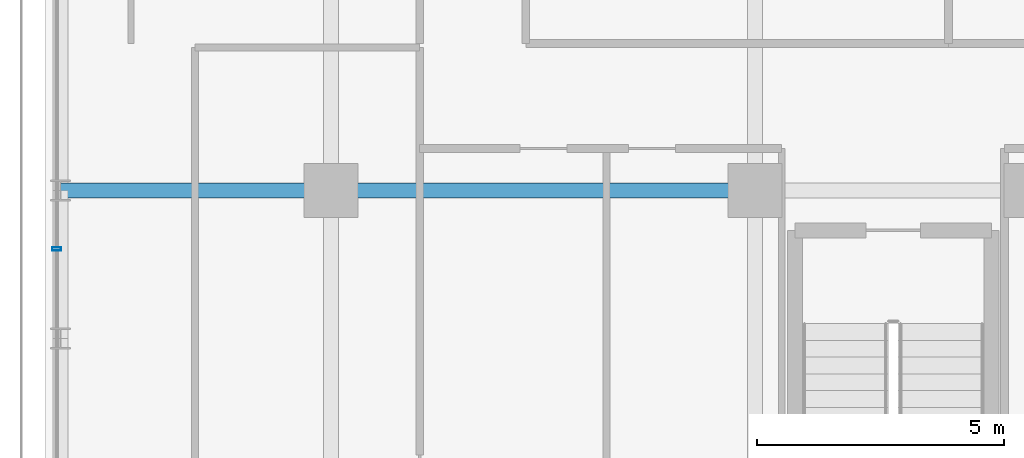
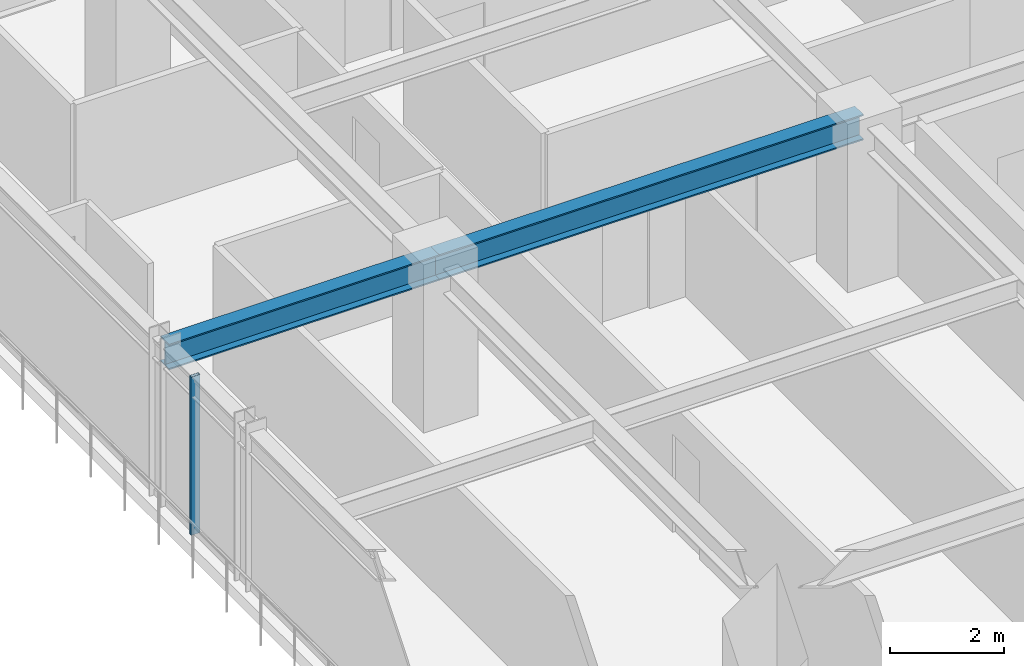
# One storey, part 7 of 33: 2 beams, 1 member, 1 element without a shape of its own.
"""IFC4 building model written with IfcOpenShell, lengths in metres."""

from ifc_helpers import new_model, si_unit, direction, frame, origin, origin_2d, place, context, subcontext, project, spatial, hollow_rectangle, i_section, extrude, source, transform, mapped, material, material_profile, profile_set, type_object, element, aggregate, save


model = new_model("IFC4")

# Units and contexts
model_context = context("Model", 3, precision=1e-05, world=origin(), true_north=direction((0.0, 1.0)))
body_context = subcontext(model_context, "Body", "Model", "MODEL_VIEW")
ifc_project = project(units=[si_unit("LENGTHUNIT", "METRE"), si_unit("AREAUNIT", "SQUARE_METRE"), si_unit("VOLUMEUNIT", "CUBIC_METRE"), si_unit("PLANEANGLEUNIT", "RADIAN"), si_unit("MASSUNIT", "GRAM", prefix="KILO")], contexts=[model_context])

# Site, building, storey
site_placement = place(None, origin())
site = spatial("IfcSite", under=ifc_project, at=site_placement, CompositionType="ELEMENT")
building_placement = place(site_placement, origin())
building = spatial("IfcBuilding", under=site, at=building_placement, Name="Nahalor Promenade Grand Hotel", CompositionType="ELEMENT")
storey_placement = place(building_placement, frame((0.0, 0.0, 149.0)))
storey = spatial("IfcBuildingStorey", under=building, at=storey_placement, Name="L37", CompositionType="ELEMENT", Elevation=149.0)

# Beams
ifc_material_1 = material(Name="Steel S355JR", Category="steel")
ifc_material_profile_1 = material_profile(ifc_material_1, i_section(OverallWidth=0.3, OverallDepth=0.55, WebThickness=0.015, FlangeThickness=0.029, at=origin_2d()), Name="HEB 550")
ifc_profile_set_1 = profile_set([ifc_material_profile_1], Name="Steel S355JR")
beam_type = type_object("IfcBeamType", Name="Beam-Girder-HEB550", PredefinedType="BEAM", material=ifc_profile_set_1)
shared_shape_1 = source(origin(), body_context, "Body", "SweptSolid", [
    extrude(i_section(OverallWidth=0.3, OverallDepth=0.55, WebThickness=0.015, FlangeThickness=0.029, at=origin_2d()), origin(), (0.0, 0.0, 1.0), 8.60009765625),
])
beam_1_placement = place(storey_placement, frame((-17.0, -5.39990234375, 3.114990234375), z_axis=(1.0, 0.0, 0.0), x_axis=(0.0, 1.0, 0.0)))
element("IfcBeam", 1, at=beam_1_placement, inside=storey, type_object=beam_type, Name="BM-L37-GX-1-1", PredefinedType="BEAM", context=body_context, shape_type="MappedRepresentation", body=[
    mapped(shared_shape_1, transform((0.0, 0.0, 0.0), scale=1.0)),
])
shared_shape_2 = source(origin(), body_context, "Body", "SweptSolid", [
    extrude(i_section(OverallWidth=0.3, OverallDepth=0.55, WebThickness=0.015, FlangeThickness=0.029, at=origin_2d()), origin(), (0.0, 0.0, 1.0), 5.47998046875),
])
beam_2_placement = place(storey_placement, frame((-22.47998046875, -5.39990234375, 3.114990234375), z_axis=(1.0, 0.0, 0.0), x_axis=(0.0, 1.0, 0.0)))
element("IfcBeam", 2, at=beam_2_placement, inside=storey, type_object=beam_type, Name="BM-L37-GX-1-0", PredefinedType="BEAM", context=body_context, shape_type="MappedRepresentation", body=[
    mapped(shared_shape_2, transform((0.0, 0.0, 0.0), scale=1.0)),
])

# Curtain wall, member
ifc_material_2 = material(Name="Anodised Bronze Aluminium EN AW-6063 T6", Category="aluminium")
curtain_wall_type = type_object("IfcCurtainWallType", Name="CW2 Typical Hotel Flush Bronze Unitised Curtain Wall", PredefinedType="USERDEFINED", material=ifc_material_2)
curtain_wall_placement = place(storey_placement, origin())
curtain_wall = element("IfcCurtainWall", 3, at=curtain_wall_placement, inside=storey, type_object=curtain_wall_type, Name="L37 Curtain Wall CW-L37-W-1", ObjectType="UNITISED_CURTAIN_WALL", PredefinedType="USERDEFINED")
ifc_material_profile_2 = material_profile(ifc_material_2, hollow_rectangle(XDim=0.065, YDim=0.18, WallThickness=0.004, at=origin_2d()), Name="CWM 65x180x4")
ifc_profile_set_2 = profile_set([ifc_material_profile_2], Name="Anodised Bronze Aluminium EN AW-6063 T6")
member_type = type_object("IfcMemberType", Name="CWM2 Typical Bronze Mullion 65x180", PredefinedType="MULLION", material=ifc_profile_set_2)
shared_shape_3 = source(origin(), body_context, "Body", "SweptSolid", [
    extrude(hollow_rectangle(XDim=0.065, YDim=0.18, WallThickness=0.004, at=origin_2d()), origin(), (0.0, 0.0, 1.0), 3.389892578125),
])
member_placement = place(storey_placement, frame((-22.56005859375, -6.586669921875, 0.0), z_axis=(0.0, 0.0, 1.0), x_axis=(0.0, 1.0, 0.0)))
member = element("IfcMember", 4, at=member_placement, type_object=member_type, Name="CW-L37-W-1 Mullion 1", PredefinedType="MULLION", context=body_context, shape_type="MappedRepresentation", body=[
    mapped(shared_shape_3, transform((0.0, 0.0, 0.0), scale=1.0)),
])
aggregate(curtain_wall, [member])

save(model, "model.ifc")
